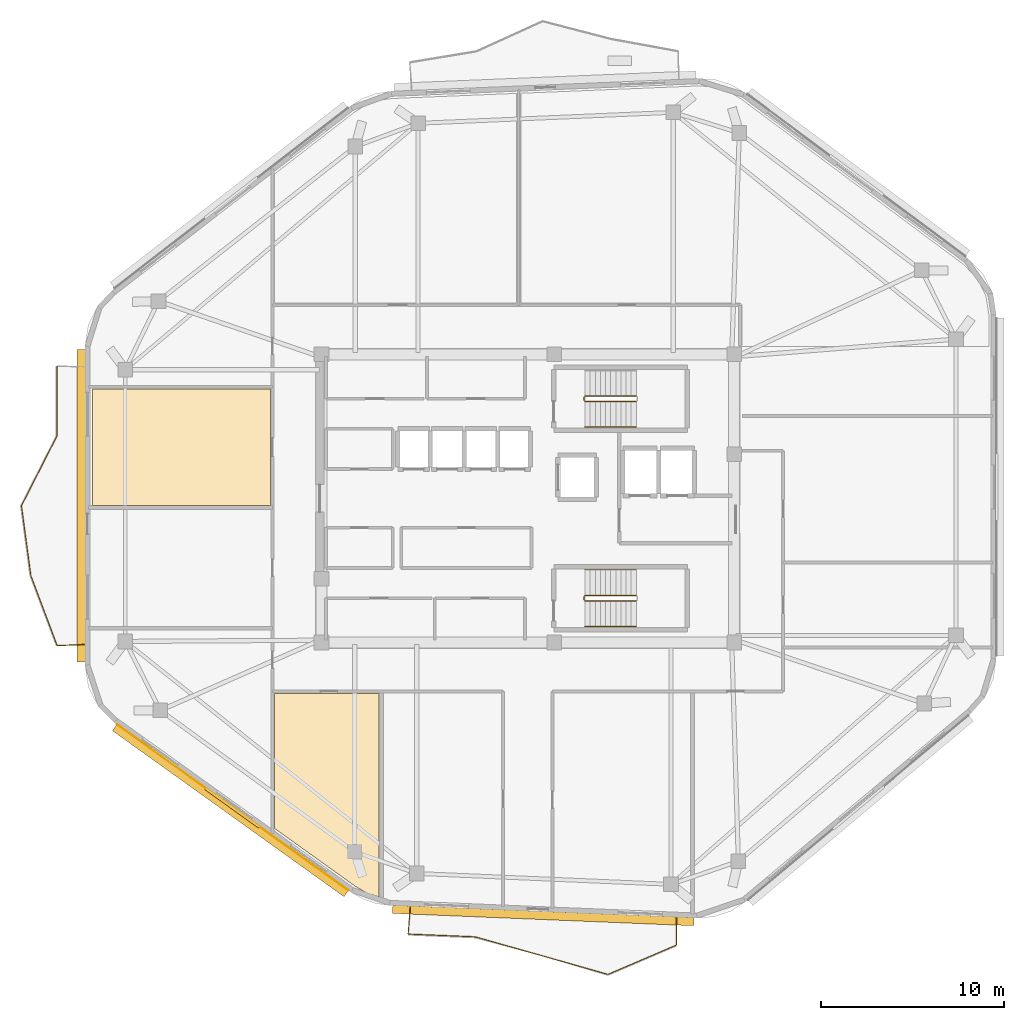
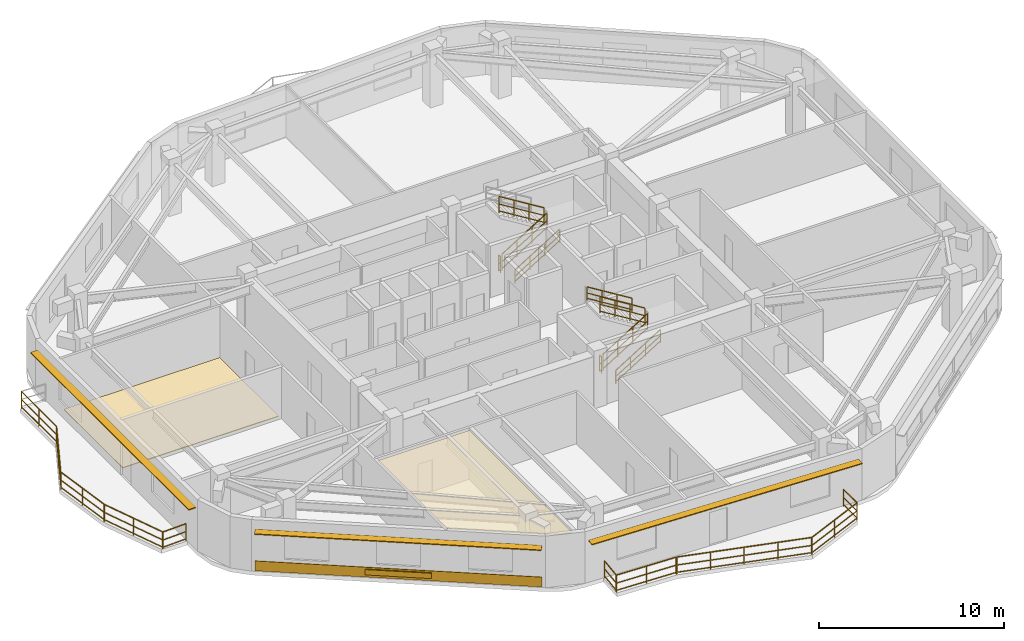
# One storey, part 7 of 9: 19 railings, 4 shading devices, 3 coverings.
"""IFC4 building model written with IfcOpenShell, lengths in metres."""

from ifc_helpers import new_model, si_unit, direction, frame, origin, origin_2d, place, context, subcontext, project, spatial, polyline, rectangle, outline, extrude, material, layer, layer_set, type_object, element, save


model = new_model("IFC4")

# Units and contexts
model_context = context("Model", 3, precision=1e-05, world=origin(), true_north=direction((0.0, 1.0)))
body_context = subcontext(model_context, "Body", "Model", "MODEL_VIEW")
ifc_project = project(units=[si_unit("LENGTHUNIT", "METRE"), si_unit("AREAUNIT", "SQUARE_METRE"), si_unit("VOLUMEUNIT", "CUBIC_METRE"), si_unit("PLANEANGLEUNIT", "RADIAN"), si_unit("MASSUNIT", "GRAM", prefix="KILO")], contexts=[model_context])

# Site, building, storey
site_placement = place(None, origin())
site = spatial("IfcSite", under=ifc_project, at=site_placement, CompositionType="ELEMENT")
building_placement = place(site_placement, origin())
building = spatial("IfcBuilding", under=site, at=building_placement, Name="Zulverin Broadcast Headquarters", CompositionType="ELEMENT")
storey_placement = place(building_placement, frame((0.0, 0.0, 304.800048828125)))
storey = spatial("IfcBuildingStorey", under=building, at=storey_placement, Name="L78", CompositionType="ELEMENT", Elevation=304.800048828125)

# Coverings
ifc_material_1 = material(Name="Perforated pale-metal acoustic baffle ceiling", Category="aluminium")
ifc_layer_1 = layer(ifc_material_1, 0.0400390625, Name="Perforated pale-metal acoustic baffle ceiling", Category="aluminium")
ifc_layer_set_1 = layer_set([ifc_layer_1], Name="Perforated pale-metal acoustic baffle ceiling")
covering_type_1 = type_object("IfcCoveringType", Name="COV-CEIL-ACOU", PredefinedType="CEILING", material=ifc_layer_set_1)
covering_1_placement = place(storey_placement, frame((0.0, 0.0, 3.219970703125)))
element("IfcCovering", 1, at=covering_1_placement, inside=storey, type_object=covering_type_1, Name="L78 Acoustic Baffle Ceiling 03", PredefinedType="CEILING", context=body_context, shape_type="SweptSolid", body=[
    extrude(outline(polyline([(27.580078125, 3.99609375), (28.1640625, 3.656005859375), (28.7880859375, 3.444091796875), (28.8798828125, 3.431884765625), (28.8798828125, 14.531982421875), (23.16796875, 14.531982421875), (23.16796875, 7.159912109375), (27.580078125, 3.99609375)])), origin(), (0.0, 0.0, 1.0), 0.0400390625),
])
ifc_material_2 = material(Name="Brushed pale-aluminium rainscreen cladding", Category="aluminium")
ifc_layer_2 = layer(ifc_material_2, 0.0400390625, Name="Brushed pale-aluminium rainscreen cladding", Category="aluminium")
ifc_layer_set_2 = layer_set([ifc_layer_2], Name="Brushed pale-aluminium rainscreen cladding")
covering_type_2 = type_object("IfcCoveringType", Name="COV-CLAD-PALE", PredefinedType="CLADDING", material=ifc_layer_set_2)
covering_2_placement = place(storey_placement, frame((20.869873046875, 8.30419921875, 0.054931640625), z_axis=(0.0, 0.0, 1.0), x_axis=(0.812809068128, -0.582530187002, 0.0)))
element("IfcCovering", 2, at=covering_2_placement, inside=storey, type_object=covering_type_2, Name="L78 Brushed Pale-Aluminium Spandrel Cladding 8", PredefinedType="CLADDING", context=body_context, shape_type="SweptSolid", body=[
    extrude(rectangle(XDim=15.567626953125, YDim=0.0400390625, at=origin_2d()), origin(), (0.0, 0.0, 1.0), 0.64990234375),
])
ifc_material_3 = material(Name="Anti-static broadcast raised access flooring", Category="stone")
ifc_layer_3 = layer(ifc_material_3, 0.050048828125, Name="Anti-static broadcast raised access flooring", Category="stone")
ifc_layer_set_3 = layer_set([ifc_layer_3], Name="Anti-static broadcast raised access flooring")
covering_type_3 = type_object("IfcCoveringType", Name="COV-FLR-RAISED", PredefinedType="FLOORING", material=ifc_layer_set_3)
covering_3_placement = place(storey_placement, origin())
element("IfcCovering", 3, at=covering_3_placement, inside=storey, type_object=covering_type_3, Name="L78 Broadcast Raised Access Flooring 02", PredefinedType="FLOORING", context=body_context, shape_type="SweptSolid", body=[
    extrude(outline(polyline([(22.927978515625, 31.179931640625), (13.199951171875, 31.179931640625), (13.199951171875, 24.820068359375), (22.927978515625, 24.820068359375), (22.927978515625, 31.179931640625)])), origin(), (0.0, 0.0, 1.0), 0.050048828125),
])

# Railings
ifc_material_4 = material(Name="Brushed stainless steel & laminated glass balustrade", Category="steel")
railing_type_1 = type_object("IfcRailingType", Name="RL-GUARD-1150", PredefinedType="GUARDRAIL", material=ifc_material_4)
railing_1_placement = place(storey_placement, frame((11.280029296875, 32.43310546875, 0.0)))
element("IfcRailing", 4, at=railing_1_placement, inside=storey, type_object=railing_type_1, Name="L78 Vertical-Forest Balcony Guardrail BAL_W Segment 02", PredefinedType="GUARDRAIL", context=body_context, shape_type="SweptSolid", body=[
    extrude(rectangle(XDim=0.048095703125, YDim=0.048095703125, at=origin_2d()), frame((0.0, 0.0, 1.1259765625), z_axis=(-0.00045042142, -0.99999989856, 0.0), x_axis=(0.99999989856, -0.00045042142, 0.0)), (0.0, 0.0, 1.0), 3.794189453125),
    extrude(rectangle(XDim=0.0419921875, YDim=0.0419921875, at=origin_2d()), frame((0.0, 0.0, 0.597900390625), z_axis=(-0.00045042142, -0.99999989856, 0.0), x_axis=(0.99999989856, -0.00045042142, 0.0)), (0.0, 0.0, 1.0), 3.794189453125),
    extrude(rectangle(XDim=0.0419921875, YDim=0.0419921875, at=origin_2d()), frame((0.0, 0.0, 0.1201171875), z_axis=(-0.00045042142, -0.99999989856, 0.0), x_axis=(0.99999989856, -0.00045042142, 0.0)), (0.0, 0.0, 1.0), 3.794189453125),
    extrude(rectangle(XDim=0.0419921875, YDim=0.0419921875, at=origin_2d()), origin(), (0.0, 0.0, 1.0), 1.101806640625),
    extrude(rectangle(XDim=0.0419921875, YDim=0.0419921875, at=origin_2d()), frame((-0.0009765625, -1.89697265625, 0.0)), (0.0, 0.0, 1.0), 1.101806640625),
    extrude(rectangle(XDim=0.0419921875, YDim=0.0419921875, at=origin_2d()), frame((-0.001708984375, -3.794189453125, 0.0)), (0.0, 0.0, 1.0), 1.101806640625),
])
railing_2_placement = place(storey_placement, frame((11.271484375, 28.610595703125, 0.0)))
element("IfcRailing", 5, at=railing_2_placement, inside=storey, type_object=railing_type_1, Name="L78 Vertical-Forest Balcony Guardrail BAL_W Segment 03", PredefinedType="GUARDRAIL", context=body_context, shape_type="SweptSolid", body=[
    extrude(rectangle(XDim=0.048095703125, YDim=0.048095703125, at=origin_2d()), frame((0.0, 0.0, 1.1259765625), z_axis=(-0.453937795663, -0.891033376293, 0.0), x_axis=(0.891033376293, -0.453937795663, 0.0)), (0.0, 0.0, 1.0), 4.26171875),
    extrude(rectangle(XDim=0.0419921875, YDim=0.0419921875, at=origin_2d()), frame((0.0, 0.0, 0.597900390625), z_axis=(-0.453937795663, -0.891033376293, 0.0), x_axis=(0.891033376293, -0.453937795663, 0.0)), (0.0, 0.0, 1.0), 4.26171875),
    extrude(rectangle(XDim=0.0419921875, YDim=0.0419921875, at=origin_2d()), frame((0.0, 0.0, 0.1201171875), z_axis=(-0.453937795663, -0.891033376293, 0.0), x_axis=(0.891033376293, -0.453937795663, 0.0)), (0.0, 0.0, 1.0), 4.26171875),
    extrude(rectangle(XDim=0.0419921875, YDim=0.0419921875, at=origin_2d()), origin(), (0.0, 0.0, 1.0), 1.101806640625),
    extrude(rectangle(XDim=0.0419921875, YDim=0.0419921875, at=origin_2d()), frame((-0.96728515625, -1.898681640625, 0.0)), (0.0, 0.0, 1.0), 1.101806640625),
    extrude(rectangle(XDim=0.0419921875, YDim=0.0419921875, at=origin_2d()), frame((-1.9345703125, -3.79736328125, 0.0)), (0.0, 0.0, 1.0), 1.101806640625),
])
railing_3_placement = place(storey_placement, frame((9.33203125, 24.784912109375, 0.0)))
element("IfcRailing", 6, at=railing_3_placement, inside=storey, type_object=railing_type_1, Name="L78 Vertical-Forest Balcony Guardrail BAL_W Segment 04", PredefinedType="GUARDRAIL", context=body_context, shape_type="SweptSolid", body=[
    extrude(rectangle(XDim=0.048095703125, YDim=0.048095703125, at=origin_2d()), frame((0.0, 0.0, 1.1259765625), z_axis=(0.132907261318, -0.991128477993, 0.0), x_axis=(0.991128477993, 0.132907261318, 0.0)), (0.0, 0.0, 1.0), 3.828125),
    extrude(rectangle(XDim=0.0419921875, YDim=0.0419921875, at=origin_2d()), frame((0.0, 0.0, 0.597900390625), z_axis=(0.132907261318, -0.991128477993, 0.0), x_axis=(0.991128477993, 0.132907261318, 0.0)), (0.0, 0.0, 1.0), 3.828125),
    extrude(rectangle(XDim=0.0419921875, YDim=0.0419921875, at=origin_2d()), frame((0.0, 0.0, 0.1201171875), z_axis=(0.132907261318, -0.991128477993, 0.0), x_axis=(0.991128477993, 0.132907261318, 0.0)), (0.0, 0.0, 1.0), 3.828125),
    extrude(rectangle(XDim=0.0419921875, YDim=0.0419921875, at=origin_2d()), origin(), (0.0, 0.0, 1.0), 1.101806640625),
    extrude(rectangle(XDim=0.0419921875, YDim=0.0419921875, at=origin_2d()), frame((0.25439453125, -1.89697265625, 0.0)), (0.0, 0.0, 1.0), 1.101806640625),
    extrude(rectangle(XDim=0.0419921875, YDim=0.0419921875, at=origin_2d()), frame((0.5087890625, -3.794189453125, 0.0)), (0.0, 0.0, 1.0), 1.101806640625),
])
railing_4_placement = place(storey_placement, frame((9.84814453125, 20.9619140625, 0.0)))
element("IfcRailing", 7, at=railing_4_placement, inside=storey, type_object=railing_type_1, Name="L78 Vertical-Forest Balcony Guardrail BAL_W Segment 05", PredefinedType="GUARDRAIL", context=body_context, shape_type="SweptSolid", body=[
    extrude(rectangle(XDim=0.048095703125, YDim=0.048095703125, at=origin_2d()), frame((0.0, 0.0, 1.1259765625), z_axis=(0.351763320604, -0.936088973484, 0.0), x_axis=(0.936088973484, 0.351763320604, 0.0)), (0.0, 0.0, 1.0), 4.055419921875),
    extrude(rectangle(XDim=0.0419921875, YDim=0.0419921875, at=origin_2d()), frame((0.0, 0.0, 0.597900390625), z_axis=(0.351763320604, -0.936088973484, 0.0), x_axis=(0.936088973484, 0.351763320604, 0.0)), (0.0, 0.0, 1.0), 4.055419921875),
    extrude(rectangle(XDim=0.0419921875, YDim=0.0419921875, at=origin_2d()), frame((0.0, 0.0, 0.1201171875), z_axis=(0.351763320604, -0.936088973484, 0.0), x_axis=(0.936088973484, 0.351763320604, 0.0)), (0.0, 0.0, 1.0), 4.055419921875),
    extrude(rectangle(XDim=0.0419921875, YDim=0.0419921875, at=origin_2d()), origin(), (0.0, 0.0, 1.0), 1.101806640625),
    extrude(rectangle(XDim=0.0419921875, YDim=0.0419921875, at=origin_2d()), frame((0.71337890625, -1.89794921875, 0.0)), (0.0, 0.0, 1.0), 1.101806640625),
    extrude(rectangle(XDim=0.0419921875, YDim=0.0419921875, at=origin_2d()), frame((1.426513671875, -3.796142578125, 0.0)), (0.0, 0.0, 1.0), 1.101806640625),
])
railing_5_placement = place(storey_placement, frame((11.294921875, 17.15234375, 0.0)))
element("IfcRailing", 8, at=railing_5_placement, inside=storey, type_object=railing_type_1, Name="L78 Vertical-Forest Balcony Guardrail BAL_W Segment 06", PredefinedType="GUARDRAIL", context=body_context, shape_type="SweptSolid", body=[
    extrude(rectangle(XDim=0.048095703125, YDim=0.048095703125, at=origin_2d()), frame((0.0, 0.0, 1.1259765625), z_axis=(0.999181155166, 0.040460093435, 0.0), x_axis=(-0.040460093435, 0.999181155166, 0.0)), (0.0, 0.0, 1.0), 1.46630859375),
    extrude(rectangle(XDim=0.0419921875, YDim=0.0419921875, at=origin_2d()), frame((0.0, 0.0, 0.597900390625), z_axis=(0.999181155166, 0.040460093435, 0.0), x_axis=(-0.040460093435, 0.999181155166, 0.0)), (0.0, 0.0, 1.0), 1.46630859375),
    extrude(rectangle(XDim=0.0419921875, YDim=0.0419921875, at=origin_2d()), frame((0.0, 0.0, 0.1201171875), z_axis=(0.999181155166, 0.040460093435, 0.0), x_axis=(-0.040460093435, 0.999181155166, 0.0)), (0.0, 0.0, 1.0), 1.46630859375),
    extrude(rectangle(XDim=0.0419921875, YDim=0.0419921875, at=origin_2d()), origin(), (0.0, 0.0, 1.0), 1.101806640625),
    extrude(rectangle(XDim=0.0419921875, YDim=0.0419921875, at=origin_2d()), frame((1.465087890625, 0.059326171875, 0.0)), (0.0, 0.0, 1.0), 1.101806640625),
])
railing_6_placement = place(storey_placement, frame((30.580078125, 2.86572265625, 0.0)))
element("IfcRailing", 9, at=railing_6_placement, inside=storey, type_object=railing_type_1, Name="L78 Vertical-Forest Balcony Guardrail BAL_S Segment 01", PredefinedType="GUARDRAIL", context=body_context, shape_type="SweptSolid", body=[
    extrude(rectangle(XDim=0.048095703125, YDim=0.048095703125, at=origin_2d()), frame((0.0, 0.0, 1.1259765625), z_axis=(-0.08159832835, -0.996665296281, 0.0), x_axis=(0.996665296281, -0.08159832835, 0.0)), (0.0, 0.0, 1.0), 1.466064453125),
    extrude(rectangle(XDim=0.0419921875, YDim=0.0419921875, at=origin_2d()), frame((0.0, 0.0, 0.597900390625), z_axis=(-0.08159832835, -0.996665296281, 0.0), x_axis=(0.996665296281, -0.08159832835, 0.0)), (0.0, 0.0, 1.0), 1.466064453125),
    extrude(rectangle(XDim=0.0419921875, YDim=0.0419921875, at=origin_2d()), frame((0.0, 0.0, 0.1201171875), z_axis=(-0.08159832835, -0.996665296281, 0.0), x_axis=(0.996665296281, -0.08159832835, 0.0)), (0.0, 0.0, 1.0), 1.466064453125),
    extrude(rectangle(XDim=0.0419921875, YDim=0.0419921875, at=origin_2d()), origin(), (0.0, 0.0, 1.0), 1.101806640625),
    extrude(rectangle(XDim=0.0419921875, YDim=0.0419921875, at=origin_2d()), frame((-0.11962890625, -1.461181640625, 0.0)), (0.0, 0.0, 1.0), 1.101806640625),
])
railing_7_placement = place(storey_placement, frame((30.474365234375, 1.388916015625, 0.0)))
element("IfcRailing", 10, at=railing_7_placement, inside=storey, type_object=railing_type_1, Name="L78 Vertical-Forest Balcony Guardrail BAL_S Segment 02", PredefinedType="GUARDRAIL", context=body_context, shape_type="SweptSolid", body=[
    extrude(rectangle(XDim=0.048095703125, YDim=0.048095703125, at=origin_2d()), frame((0.0, 0.0, 1.1259765625), z_axis=(0.999156632001, -0.041061231452, 0.0), x_axis=(0.041061231452, 0.999156632001, 0.0)), (0.0, 0.0, 1.0), 3.638916015625),
    extrude(rectangle(XDim=0.0419921875, YDim=0.0419921875, at=origin_2d()), frame((0.0, 0.0, 0.597900390625), z_axis=(0.999156632001, -0.041061231452, 0.0), x_axis=(0.041061231452, 0.999156632001, 0.0)), (0.0, 0.0, 1.0), 3.638916015625),
    extrude(rectangle(XDim=0.0419921875, YDim=0.0419921875, at=origin_2d()), frame((0.0, 0.0, 0.1201171875), z_axis=(0.999156632001, -0.041061231452, 0.0), x_axis=(0.041061231452, 0.999156632001, 0.0)), (0.0, 0.0, 1.0), 3.638916015625),
    extrude(rectangle(XDim=0.0419921875, YDim=0.0419921875, at=origin_2d()), origin(), (0.0, 0.0, 1.0), 1.101806640625),
    extrude(rectangle(XDim=0.0419921875, YDim=0.0419921875, at=origin_2d()), frame((1.81787109375, -0.07470703125, 0.0)), (0.0, 0.0, 1.0), 1.101806640625),
    extrude(rectangle(XDim=0.0419921875, YDim=0.0419921875, at=origin_2d()), frame((3.6357421875, -0.1494140625, 0.0)), (0.0, 0.0, 1.0), 1.101806640625),
])
railing_8_placement = place(storey_placement, frame((34.1396484375, 1.234619140625, 0.0)))
element("IfcRailing", 11, at=railing_8_placement, inside=storey, type_object=railing_type_1, Name="L78 Vertical-Forest Balcony Guardrail BAL_S Segment 03", PredefinedType="GUARDRAIL", context=body_context, shape_type="SweptSolid", body=[
    extrude(rectangle(XDim=0.048095703125, YDim=0.048095703125, at=origin_2d()), frame((0.0, 0.0, 1.1259765625), z_axis=(0.962235433793, -0.27221860692, 0.0), x_axis=(0.27221860692, 0.962235433793, 0.0)), (0.0, 0.0, 1.0), 7.5146484375),
    extrude(rectangle(XDim=0.0419921875, YDim=0.0419921875, at=origin_2d()), frame((0.0, 0.0, 0.597900390625), z_axis=(0.962235433793, -0.27221860692, 0.0), x_axis=(0.27221860692, 0.962235433793, 0.0)), (0.0, 0.0, 1.0), 7.5146484375),
    extrude(rectangle(XDim=0.0419921875, YDim=0.0419921875, at=origin_2d()), frame((0.0, 0.0, 0.1201171875), z_axis=(0.962235433793, -0.27221860692, 0.0), x_axis=(0.27221860692, 0.962235433793, 0.0)), (0.0, 0.0, 1.0), 7.5146484375),
    extrude(rectangle(XDim=0.0419921875, YDim=0.0419921875, at=origin_2d()), origin(), (0.0, 0.0, 1.0), 1.101806640625),
    extrude(rectangle(XDim=0.0419921875, YDim=0.0419921875, at=origin_2d()), frame((1.8076171875, -0.511474609375, 0.0)), (0.0, 0.0, 1.0), 1.101806640625),
    extrude(rectangle(XDim=0.0419921875, YDim=0.0419921875, at=origin_2d()), frame((3.615478515625, -1.02294921875, 0.0)), (0.0, 0.0, 1.0), 1.101806640625),
    extrude(rectangle(XDim=0.0419921875, YDim=0.0419921875, at=origin_2d()), frame((5.42333984375, -1.5341796875, 0.0)), (0.0, 0.0, 1.0), 1.101806640625),
    extrude(rectangle(XDim=0.0419921875, YDim=0.0419921875, at=origin_2d()), frame((7.23095703125, -2.045654296875, 0.0)), (0.0, 0.0, 1.0), 1.101806640625),
])
railing_9_placement = place(storey_placement, frame((41.398681640625, -0.80908203125, 0.0)))
element("IfcRailing", 12, at=railing_9_placement, inside=storey, type_object=railing_type_1, Name="L78 Vertical-Forest Balcony Guardrail BAL_S Segment 04", PredefinedType="GUARDRAIL", context=body_context, shape_type="SweptSolid", body=[
    extrude(rectangle(XDim=0.048095703125, YDim=0.048095703125, at=origin_2d()), frame((0.0, 0.0, 1.1259765625), z_axis=(0.919176309922, 0.393846304133, 0.0), x_axis=(-0.393846304133, 0.919176309922, 0.0)), (0.0, 0.0, 1.0), 4.03662109375),
    extrude(rectangle(XDim=0.0419921875, YDim=0.0419921875, at=origin_2d()), frame((0.0, 0.0, 0.597900390625), z_axis=(0.919176309922, 0.393846304133, 0.0), x_axis=(-0.393846304133, 0.919176309922, 0.0)), (0.0, 0.0, 1.0), 4.03662109375),
    extrude(rectangle(XDim=0.0419921875, YDim=0.0419921875, at=origin_2d()), frame((0.0, 0.0, 0.1201171875), z_axis=(0.919176309922, 0.393846304133, 0.0), x_axis=(-0.393846304133, 0.919176309922, 0.0)), (0.0, 0.0, 1.0), 4.03662109375),
    extrude(rectangle(XDim=0.0419921875, YDim=0.0419921875, at=origin_2d()), origin(), (0.0, 0.0, 1.0), 1.101806640625),
    extrude(rectangle(XDim=0.0419921875, YDim=0.0419921875, at=origin_2d()), frame((1.855224609375, 0.794921875, 0.0)), (0.0, 0.0, 1.0), 1.101806640625),
    extrude(rectangle(XDim=0.0419921875, YDim=0.0419921875, at=origin_2d()), frame((3.71044921875, 1.58984375, 0.0)), (0.0, 0.0, 1.0), 1.101806640625),
])
railing_10_placement = place(storey_placement, frame((45.123046875, 0.8017578125, 0.0)))
element("IfcRailing", 13, at=railing_10_placement, inside=storey, type_object=railing_type_1, Name="L78 Vertical-Forest Balcony Guardrail BAL_S Segment 05", PredefinedType="GUARDRAIL", context=body_context, shape_type="SweptSolid", body=[
    extrude(rectangle(XDim=0.048095703125, YDim=0.048095703125, at=origin_2d()), frame((0.0, 0.0, 1.1259765625), z_axis=(0.000499500437, 0.99999987525, 0.0), x_axis=(-0.99999987525, 0.000499500437, 0.0)), (0.0, 0.0, 1.0), 1.46630859375),
    extrude(rectangle(XDim=0.0419921875, YDim=0.0419921875, at=origin_2d()), frame((0.0, 0.0, 0.597900390625), z_axis=(0.000499500437, 0.99999987525, 0.0), x_axis=(-0.99999987525, 0.000499500437, 0.0)), (0.0, 0.0, 1.0), 1.46630859375),
    extrude(rectangle(XDim=0.0419921875, YDim=0.0419921875, at=origin_2d()), frame((0.0, 0.0, 0.1201171875), z_axis=(0.000499500437, 0.99999987525, 0.0), x_axis=(-0.99999987525, 0.000499500437, 0.0)), (0.0, 0.0, 1.0), 1.46630859375),
    extrude(rectangle(XDim=0.0419921875, YDim=0.0419921875, at=origin_2d()), origin(), (0.0, 0.0, 1.0), 1.101806640625),
    extrude(rectangle(XDim=0.0419921875, YDim=0.0419921875, at=origin_2d()), frame((0.000732421875, 1.46630859375, 0.0)), (0.0, 0.0, 1.0), 1.101806640625),
])
ifc_material_5 = material(Name="Painted galvanized steel tubular guardrail S355JR", Category="steel")
railing_type_2 = type_object("IfcRailingType", Name="RL-ST-GUARD", PredefinedType="GUARDRAIL", material=ifc_material_5)
railing_11_placement = place(storey_placement, frame((40.1298828125, 30.5, 0.172607421875)))
element("IfcRailing", 14, at=railing_11_placement, inside=storey, type_object=railing_type_2, Name="L78 ST-1 stair guard 1", PredefinedType="GUARDRAIL", context=body_context, shape_type="SweptSolid", body=[
    extrude(rectangle(XDim=0.048095703125, YDim=0.048095703125, at=origin_2d()), frame((0.0, 0.0, 1.076171875), z_axis=(0.851089632645, 0.0, 0.525020415988), x_axis=(0.0, 1.0, 0.0)), (0.0, 0.0, 1.0), 3.2900390625),
    extrude(rectangle(XDim=0.0419921875, YDim=0.0419921875, at=origin_2d()), frame((0.0, 0.0, 0.572021484375), z_axis=(0.851089632645, 0.0, 0.525020415988), x_axis=(0.0, 1.0, 0.0)), (0.0, 0.0, 1.0), 3.2900390625),
    extrude(rectangle(XDim=0.0419921875, YDim=0.0419921875, at=origin_2d()), frame((0.0, 0.0, 0.1201171875), z_axis=(0.851089632645, 0.0, 0.525020415988), x_axis=(0.0, 1.0, 0.0)), (0.0, 0.0, 1.0), 3.2900390625),
    extrude(rectangle(XDim=0.0419921875, YDim=0.0419921875, at=origin_2d()), origin(), (0.0, 0.0, 1.0), 1.052001953125),
    extrude(rectangle(XDim=0.0419921875, YDim=0.0419921875, at=origin_2d()), frame((0.933349609375, 0.0, 0.57568359375)), (0.0, 0.0, 1.0), 1.052001953125),
    extrude(rectangle(XDim=0.0419921875, YDim=0.0419921875, at=origin_2d()), frame((1.86669921875, 0.0, 1.151611328125)), (0.0, 0.0, 1.0), 1.052001953125),
    extrude(rectangle(XDim=0.0419921875, YDim=0.0419921875, at=origin_2d()), frame((2.800048828125, 0.0, 1.727294921875)), (0.0, 0.0, 1.0), 1.052001953125),
])
railing_12_placement = place(storey_placement, frame((42.929931640625, 30.800048828125, 2.07275390625)))
element("IfcRailing", 15, at=railing_12_placement, inside=storey, type_object=railing_type_2, Name="L78 ST-1 stair guard 3", PredefinedType="GUARDRAIL", context=body_context, shape_type="SweptSolid", body=[
    extrude(rectangle(XDim=0.048095703125, YDim=0.048095703125, at=origin_2d()), frame((0.0, 0.0, 1.076171875), z_axis=(-0.851089632645, 0.0, 0.525020415988), x_axis=(0.0, -1.0, 0.0)), (0.0, 0.0, 1.0), 3.2900390625),
    extrude(rectangle(XDim=0.0419921875, YDim=0.0419921875, at=origin_2d()), frame((0.0, 0.0, 0.572021484375), z_axis=(-0.851089632645, 0.0, 0.525020415988), x_axis=(0.0, -1.0, 0.0)), (0.0, 0.0, 1.0), 3.2900390625),
    extrude(rectangle(XDim=0.0419921875, YDim=0.0419921875, at=origin_2d()), frame((0.0, 0.0, 0.1201171875), z_axis=(-0.851089632645, 0.0, 0.525020415988), x_axis=(0.0, -1.0, 0.0)), (0.0, 0.0, 1.0), 3.2900390625),
    extrude(rectangle(XDim=0.0419921875, YDim=0.0419921875, at=origin_2d()), origin(), (0.0, 0.0, 1.0), 1.052001953125),
    extrude(rectangle(XDim=0.0419921875, YDim=0.0419921875, at=origin_2d()), frame((-0.933349609375, 0.0, 0.57568359375)), (0.0, 0.0, 1.0), 1.052001953125),
    extrude(rectangle(XDim=0.0419921875, YDim=0.0419921875, at=origin_2d()), frame((-1.86669921875, 0.0, 1.151611328125)), (0.0, 0.0, 1.0), 1.052001953125),
    extrude(rectangle(XDim=0.0419921875, YDim=0.0419921875, at=origin_2d()), frame((-2.800048828125, 0.0, 1.727294921875)), (0.0, 0.0, 1.0), 1.052001953125),
])
railing_13_placement = place(storey_placement, frame((40.080078125, 30.550048828125, 0.0)))
element("IfcRailing", 16, at=railing_13_placement, inside=storey, type_object=railing_type_2, Name="L78 ST-1 stair guard 4", PredefinedType="GUARDRAIL", context=body_context, shape_type="SweptSolid", body=[
    extrude(rectangle(XDim=0.048095703125, YDim=0.048095703125, at=origin_2d()), frame((0.0, 0.0, 1.076171875), z_axis=(0.0, 1.0, 0.0), x_axis=(-1.0, 0.0, 0.0)), (0.0, 0.0, 1.0), 0.199951171875),
    extrude(rectangle(XDim=0.0419921875, YDim=0.0419921875, at=origin_2d()), frame((0.0, 0.0, 0.572021484375), z_axis=(0.0, 1.0, 0.0), x_axis=(-1.0, 0.0, 0.0)), (0.0, 0.0, 1.0), 0.199951171875),
    extrude(rectangle(XDim=0.0419921875, YDim=0.0419921875, at=origin_2d()), frame((0.0, 0.0, 0.1201171875), z_axis=(0.0, 1.0, 0.0), x_axis=(-1.0, 0.0, 0.0)), (0.0, 0.0, 1.0), 0.199951171875),
    extrude(rectangle(XDim=0.0419921875, YDim=0.0419921875, at=origin_2d()), origin(), (0.0, 0.0, 1.0), 1.052001953125),
    extrude(rectangle(XDim=0.0419921875, YDim=0.0419921875, at=origin_2d()), frame((0.0, 0.199951171875, 0.0)), (0.0, 0.0, 1.0), 1.052001953125),
])
railing_14_placement = place(storey_placement, frame((40.1298828125, 19.60009765625, 0.172607421875)))
element("IfcRailing", 17, at=railing_14_placement, inside=storey, type_object=railing_type_2, Name="L78 ST-2 stair guard 1", PredefinedType="GUARDRAIL", context=body_context, shape_type="SweptSolid", body=[
    extrude(rectangle(XDim=0.048095703125, YDim=0.048095703125, at=origin_2d()), frame((0.0, 0.0, 1.076171875), z_axis=(0.851089632645, 0.0, 0.525020415988), x_axis=(0.0, 1.0, 0.0)), (0.0, 0.0, 1.0), 3.2900390625),
    extrude(rectangle(XDim=0.0419921875, YDim=0.0419921875, at=origin_2d()), frame((0.0, 0.0, 0.572021484375), z_axis=(0.851089632645, 0.0, 0.525020415988), x_axis=(0.0, 1.0, 0.0)), (0.0, 0.0, 1.0), 3.2900390625),
    extrude(rectangle(XDim=0.0419921875, YDim=0.0419921875, at=origin_2d()), frame((0.0, 0.0, 0.1201171875), z_axis=(0.851089632645, 0.0, 0.525020415988), x_axis=(0.0, 1.0, 0.0)), (0.0, 0.0, 1.0), 3.2900390625),
    extrude(rectangle(XDim=0.0419921875, YDim=0.0419921875, at=origin_2d()), origin(), (0.0, 0.0, 1.0), 1.052001953125),
    extrude(rectangle(XDim=0.0419921875, YDim=0.0419921875, at=origin_2d()), frame((0.933349609375, 0.0, 0.57568359375)), (0.0, 0.0, 1.0), 1.052001953125),
    extrude(rectangle(XDim=0.0419921875, YDim=0.0419921875, at=origin_2d()), frame((1.86669921875, 0.0, 1.151611328125)), (0.0, 0.0, 1.0), 1.052001953125),
    extrude(rectangle(XDim=0.0419921875, YDim=0.0419921875, at=origin_2d()), frame((2.800048828125, 0.0, 1.727294921875)), (0.0, 0.0, 1.0), 1.052001953125),
])
railing_15_placement = place(storey_placement, frame((42.929931640625, 19.89990234375, 2.07275390625)))
element("IfcRailing", 18, at=railing_15_placement, inside=storey, type_object=railing_type_2, Name="L78 ST-2 stair guard 3", PredefinedType="GUARDRAIL", context=body_context, shape_type="SweptSolid", body=[
    extrude(rectangle(XDim=0.048095703125, YDim=0.048095703125, at=origin_2d()), frame((0.0, 0.0, 1.076171875), z_axis=(-0.851089632645, 0.0, 0.525020415988), x_axis=(0.0, -1.0, 0.0)), (0.0, 0.0, 1.0), 3.2900390625),
    extrude(rectangle(XDim=0.0419921875, YDim=0.0419921875, at=origin_2d()), frame((0.0, 0.0, 0.572021484375), z_axis=(-0.851089632645, 0.0, 0.525020415988), x_axis=(0.0, -1.0, 0.0)), (0.0, 0.0, 1.0), 3.2900390625),
    extrude(rectangle(XDim=0.0419921875, YDim=0.0419921875, at=origin_2d()), frame((0.0, 0.0, 0.1201171875), z_axis=(-0.851089632645, 0.0, 0.525020415988), x_axis=(0.0, -1.0, 0.0)), (0.0, 0.0, 1.0), 3.2900390625),
    extrude(rectangle(XDim=0.0419921875, YDim=0.0419921875, at=origin_2d()), origin(), (0.0, 0.0, 1.0), 1.052001953125),
    extrude(rectangle(XDim=0.0419921875, YDim=0.0419921875, at=origin_2d()), frame((-0.933349609375, 0.0, 0.57568359375)), (0.0, 0.0, 1.0), 1.052001953125),
    extrude(rectangle(XDim=0.0419921875, YDim=0.0419921875, at=origin_2d()), frame((-1.86669921875, 0.0, 1.151611328125)), (0.0, 0.0, 1.0), 1.052001953125),
    extrude(rectangle(XDim=0.0419921875, YDim=0.0419921875, at=origin_2d()), frame((-2.800048828125, 0.0, 1.727294921875)), (0.0, 0.0, 1.0), 1.052001953125),
])
railing_16_placement = place(storey_placement, frame((40.080078125, 19.64990234375, 0.0)))
element("IfcRailing", 19, at=railing_16_placement, inside=storey, type_object=railing_type_2, Name="L78 ST-2 stair guard 4", PredefinedType="GUARDRAIL", context=body_context, shape_type="SweptSolid", body=[
    extrude(rectangle(XDim=0.048095703125, YDim=0.048095703125, at=origin_2d()), frame((0.0, 0.0, 1.076171875), z_axis=(0.0, 1.0, 0.0), x_axis=(-1.0, 0.0, 0.0)), (0.0, 0.0, 1.0), 0.2001953125),
    extrude(rectangle(XDim=0.0419921875, YDim=0.0419921875, at=origin_2d()), frame((0.0, 0.0, 0.572021484375), z_axis=(0.0, 1.0, 0.0), x_axis=(-1.0, 0.0, 0.0)), (0.0, 0.0, 1.0), 0.2001953125),
    extrude(rectangle(XDim=0.0419921875, YDim=0.0419921875, at=origin_2d()), frame((0.0, 0.0, 0.1201171875), z_axis=(0.0, 1.0, 0.0), x_axis=(-1.0, 0.0, 0.0)), (0.0, 0.0, 1.0), 0.2001953125),
    extrude(rectangle(XDim=0.0419921875, YDim=0.0419921875, at=origin_2d()), origin(), (0.0, 0.0, 1.0), 1.052001953125),
    extrude(rectangle(XDim=0.0419921875, YDim=0.0419921875, at=origin_2d()), frame((0.0, 0.2001953125, 0.0)), (0.0, 0.0, 1.0), 1.052001953125),
])
ifc_material_6 = material(Name="Brushed stainless steel 48 mm handrail", Category="steel")
railing_type_3 = type_object("IfcRailingType", Name="RL-ST-HAND", PredefinedType="HANDRAIL", material=ifc_material_6)
for number, where, name in (
    (20, (40.1298828125, 29.10009765625, 0.172607421875), "L78 ST-1 stair handrail 1"),
    (21, (40.1298828125, 18.199951171875, 0.172607421875), "L78 ST-2 stair handrail 1"),
):
    element("IfcRailing", number, at=place(storey_placement, frame(where)), inside=storey, type_object=railing_type_3, Name=name, PredefinedType="HANDRAIL", context=body_context, shape_type="SweptSolid", body=[
        extrude(rectangle(XDim=0.048095703125, YDim=0.048095703125, at=origin_2d()), frame((0.0, 0.0, 0.8759765625), z_axis=(0.851089632645, 0.0, 0.525020415988), x_axis=(0.0, 1.0, 0.0)), (0.0, 0.0, 1.0), 3.2900390625),
        extrude(rectangle(XDim=0.0419921875, YDim=0.0419921875, at=origin_2d()), frame((0.0, 0.0, 0.468017578125), z_axis=(0.851089632645, 0.0, 0.525020415988), x_axis=(0.0, 1.0, 0.0)), (0.0, 0.0, 1.0), 3.2900390625),
        extrude(rectangle(XDim=0.0419921875, YDim=0.0419921875, at=origin_2d()), frame((0.0, 0.0, 0.1201171875), z_axis=(0.851089632645, 0.0, 0.525020415988), x_axis=(0.0, 1.0, 0.0)), (0.0, 0.0, 1.0), 3.2900390625),
        extrude(rectangle(XDim=0.0419921875, YDim=0.0419921875, at=origin_2d()), origin(), (0.0, 0.0, 1.0), 0.851806640625),
        extrude(rectangle(XDim=0.0419921875, YDim=0.0419921875, at=origin_2d()), frame((0.933349609375, 0.0, 0.57568359375)), (0.0, 0.0, 1.0), 0.851806640625),
        extrude(rectangle(XDim=0.0419921875, YDim=0.0419921875, at=origin_2d()), frame((1.86669921875, 0.0, 1.151611328125)), (0.0, 0.0, 1.0), 0.851806640625),
        extrude(rectangle(XDim=0.0419921875, YDim=0.0419921875, at=origin_2d()), frame((2.800048828125, 0.0, 1.727294921875)), (0.0, 0.0, 1.0), 0.851806640625),
    ])
railing_17_placement = place(storey_placement, frame((42.929931640625, 21.300048828125, 2.07275390625)))
element("IfcRailing", 22, at=railing_17_placement, inside=storey, type_object=railing_type_3, Name="L78 ST-2 stair handrail 2", PredefinedType="HANDRAIL", context=body_context, shape_type="SweptSolid", body=[
    extrude(rectangle(XDim=0.048095703125, YDim=0.048095703125, at=origin_2d()), frame((0.0, 0.0, 0.8759765625), z_axis=(-0.851089632645, 0.0, 0.525020415988), x_axis=(0.0, -1.0, 0.0)), (0.0, 0.0, 1.0), 3.2900390625),
    extrude(rectangle(XDim=0.0419921875, YDim=0.0419921875, at=origin_2d()), frame((0.0, 0.0, 0.468017578125), z_axis=(-0.851089632645, 0.0, 0.525020415988), x_axis=(0.0, -1.0, 0.0)), (0.0, 0.0, 1.0), 3.2900390625),
    extrude(rectangle(XDim=0.0419921875, YDim=0.0419921875, at=origin_2d()), frame((0.0, 0.0, 0.1201171875), z_axis=(-0.851089632645, 0.0, 0.525020415988), x_axis=(0.0, -1.0, 0.0)), (0.0, 0.0, 1.0), 3.2900390625),
    extrude(rectangle(XDim=0.0419921875, YDim=0.0419921875, at=origin_2d()), origin(), (0.0, 0.0, 1.0), 0.851806640625),
    extrude(rectangle(XDim=0.0419921875, YDim=0.0419921875, at=origin_2d()), frame((-0.933349609375, 0.0, 0.57568359375)), (0.0, 0.0, 1.0), 0.851806640625),
    extrude(rectangle(XDim=0.0419921875, YDim=0.0419921875, at=origin_2d()), frame((-1.86669921875, 0.0, 1.151611328125)), (0.0, 0.0, 1.0), 0.851806640625),
    extrude(rectangle(XDim=0.0419921875, YDim=0.0419921875, at=origin_2d()), frame((-2.800048828125, 0.0, 1.727294921875)), (0.0, 0.0, 1.0), 0.851806640625),
])

# Shading devices
ifc_material_7 = material(Name="Anodized pale-metal aluminium acoustic louvre", Category="aluminium")
shading_device_type_1 = type_object("IfcShadingDeviceType", Name="SHD-LOUVRE-350", PredefinedType="USERDEFINED", material=ifc_material_7)
shading_device_1_placement = place(storey_placement, frame((20.852294921875, 8.27978515625, 0.244873046875), z_axis=(0.0, 0.0, 1.0), x_axis=(0.812809068128, -0.582530187002, 0.0)))
element("IfcShadingDevice", 23, at=shading_device_1_placement, inside=storey, type_object=shading_device_type_1, Name="L78 Spandrel Intake Louvre 8", ObjectType="LOUVRE", PredefinedType="USERDEFINED", context=body_context, shape_type="SweptSolid", body=[
    extrude(rectangle(XDim=3.60009765625, YDim=0.1201171875, at=origin_2d()), origin(), (0.0, 0.0, 1.0), 0.35009765625),
])
ifc_material_8 = material(Name="Anodized pale-metal aluminium sunshade", Category="aluminium")
ifc_layer_4 = layer(ifc_material_8, 0.06005859375, Name="Anodized pale-metal aluminium sunshade", Category="aluminium")
ifc_layer_set_4 = layer_set([ifc_layer_4], Name="Anodized pale-metal aluminium sunshade")
shading_device_type_2 = type_object("IfcShadingDeviceType", Name="SS-01_PALE_METAL_ALUMINIUM_SUNSHADE", PredefinedType="USERDEFINED", material=ifc_layer_set_4)
shading_device_2_placement = place(storey_placement, frame((37.84521484375, 2.406982421875, 2.7099609375), z_axis=(0.0, 0.0, 1.0), x_axis=(0.99915627139, -0.041070005388, 0.0)))
element("IfcShadingDevice", 24, at=shading_device_2_placement, inside=storey, type_object=shading_device_type_2, Name="L78 Horizontal Pale-Metal Sunshade Band 1", ObjectType="SUNSHADE", PredefinedType="USERDEFINED", context=body_context, shape_type="SweptSolid", body=[
    extrude(rectangle(XDim=16.47607421875, YDim=0.449951171875, at=origin_2d()), origin(), (0.0, 0.0, 1.0), 0.06005859375),
])
shading_device_3_placement = place(storey_placement, frame((12.60009765625, 24.7998046875, 2.7099609375), z_axis=(0.0, 0.0, 1.0), x_axis=(0.0, -1.0, 0.0)))
element("IfcShadingDevice", 25, at=shading_device_3_placement, inside=storey, type_object=shading_device_type_2, Name="L78 Horizontal Pale-Metal Sunshade Band 7", ObjectType="SUNSHADE", PredefinedType="USERDEFINED", context=body_context, shape_type="SweptSolid", body=[
    extrude(rectangle(XDim=17.09619140625, YDim=0.449951171875, at=origin_2d()), origin(), (0.0, 0.0, 1.0), 0.06005859375),
])
shading_device_4_placement = place(storey_placement, frame((20.75927734375, 8.149658203125, 2.7099609375), z_axis=(0.0, 0.0, 1.0), x_axis=(0.812809068128, -0.582530187002, 0.0)))
element("IfcShadingDevice", 26, at=shading_device_4_placement, inside=storey, type_object=shading_device_type_2, Name="L78 Horizontal Pale-Metal Sunshade Band 8", ObjectType="SUNSHADE", PredefinedType="USERDEFINED", context=body_context, shape_type="SweptSolid", body=[
    extrude(rectangle(XDim=15.567626953125, YDim=0.449951171875, at=origin_2d()), origin(), (0.0, 0.0, 1.0), 0.06005859375),
])

save(model, "model.ifc")
